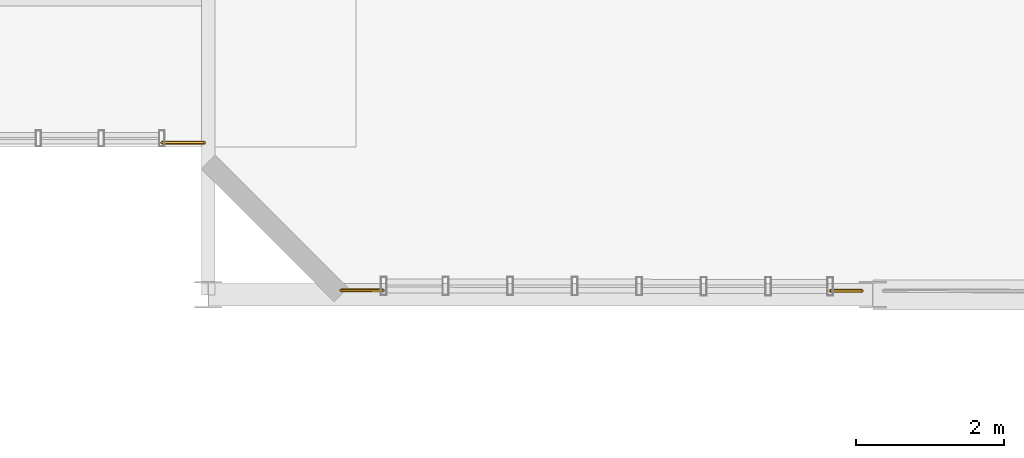
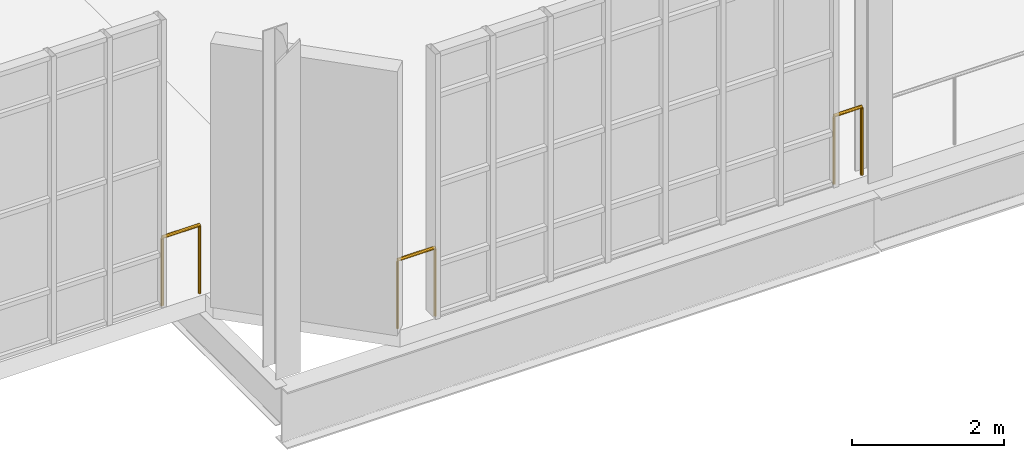
# One storey, part 133 of 142: 3 railings.
"""IFC4 building model written with IfcOpenShell, lengths in metres."""

from ifc_helpers import new_model, si_unit, direction, frame, origin, origin_2d, place, context, subcontext, project, spatial, circle, extrude, material, type_object, element, save


model = new_model("IFC4")

# Units and contexts
model_context = context("Model", 3, precision=1e-05, world=origin(), true_north=direction((0.0, 1.0)))
body_context = subcontext(model_context, "Body", "Model", "MODEL_VIEW")
ifc_project = project(units=[si_unit("LENGTHUNIT", "METRE"), si_unit("AREAUNIT", "SQUARE_METRE"), si_unit("VOLUMEUNIT", "CUBIC_METRE"), si_unit("PLANEANGLEUNIT", "RADIAN"), si_unit("MASSUNIT", "GRAM", prefix="KILO"), si_unit("THERMODYNAMICTEMPERATUREUNIT", "KELVIN"), si_unit("POWERUNIT", "WATT")], contexts=[model_context])

# Site, building, storey
site_placement = place(None, origin())
site = spatial("IfcSite", under=ifc_project, at=site_placement, CompositionType="ELEMENT")
building_placement = place(site_placement, origin())
building = spatial("IfcBuilding", under=site, at=building_placement, Name="Zelmaris Science Centre", CompositionType="ELEMENT")
storey_placement = place(building_placement, frame((0.0, 0.0, 5.39990234375)))
storey = spatial("IfcBuildingStorey", under=building, at=storey_placement, Name="L01", CompositionType="ELEMENT", Elevation=5.39990234375)

# Railings
ifc_material = material(Name="Architectural bronze alloy C28000")
railing_type = type_object("IfcRailingType", Name="Balustrade GD-01 H1120", PredefinedType="BALUSTRADE", material=ifc_material)
railing_1_placement = place(storey_placement, frame((62.85205078125, 64.0537109375, 0.0)))
element("IfcRailing", 1, at=railing_1_placement, inside=storey, type_object=railing_type, Name="L01 Perimeter safety balustrade 113", PredefinedType="BALUSTRADE", context=body_context, shape_type="SweptSolid", body=[
    extrude(circle(Radius=0.02392578125, at=origin_2d()), frame((0.0, 0.0, 1.09619140625), z_axis=(-0.999999832745, 0.000578368903, 0.0), x_axis=(-0.000578368903, -0.999999832745, 0.0)), (0.0, 0.0, 1.0), 0.422119140625),
    extrude(circle(Radius=0.02099609375, at=origin_2d()), origin(), (0.0, 0.0, 1.0), 1.072021484375),
    extrude(circle(Radius=0.02099609375, at=origin_2d()), frame((-0.422119140625, 0.000244140625, 0.0)), (0.0, 0.0, 1.0), 1.072021484375),
])
railing_2_placement = place(storey_placement, frame((56.3701171875, 64.0595703125, 0.0)))
element("IfcRailing", 2, at=railing_2_placement, inside=storey, type_object=railing_type, Name="L01 Perimeter safety balustrade 114", PredefinedType="BALUSTRADE", context=body_context, shape_type="SweptSolid", body=[
    extrude(circle(Radius=0.02392578125, at=origin_2d()), frame((0.0, 0.0, 1.09619140625), z_axis=(-0.999999633177, 0.000856530735, 0.0), x_axis=(-0.000856530735, -0.999999633177, 0.0)), (0.0, 0.0, 1.0), 0.570068359375),
    extrude(circle(Radius=0.02099609375, at=origin_2d()), origin(), (0.0, 0.0, 1.0), 1.072021484375),
    extrude(circle(Radius=0.02099609375, at=origin_2d()), frame((-0.570068359375, 0.00048828125, 0.0)), (0.0, 0.0, 1.0), 1.072021484375),
])
railing_3_placement = place(storey_placement, frame((53.94580078125, 66.059814453125, 0.0)))
element("IfcRailing", 3, at=railing_3_placement, inside=storey, type_object=railing_type, Name="L01 Perimeter safety balustrade 115", PredefinedType="BALUSTRADE", context=body_context, shape_type="SweptSolid", body=[
    extrude(circle(Radius=0.02392578125, at=origin_2d()), frame((0.0, 0.0, 1.09619140625), z_axis=(-1.0, 0.0, 0.0), x_axis=(0.0, -1.0, 0.0)), (0.0, 0.0, 1.0), 0.56982421875),
    extrude(circle(Radius=0.02099609375, at=origin_2d()), origin(), (0.0, 0.0, 1.0), 1.072021484375),
    extrude(circle(Radius=0.02099609375, at=origin_2d()), frame((-0.56982421875, 0.0, 0.0)), (0.0, 0.0, 1.0), 1.072021484375),
])

save(model, "model.ifc")
